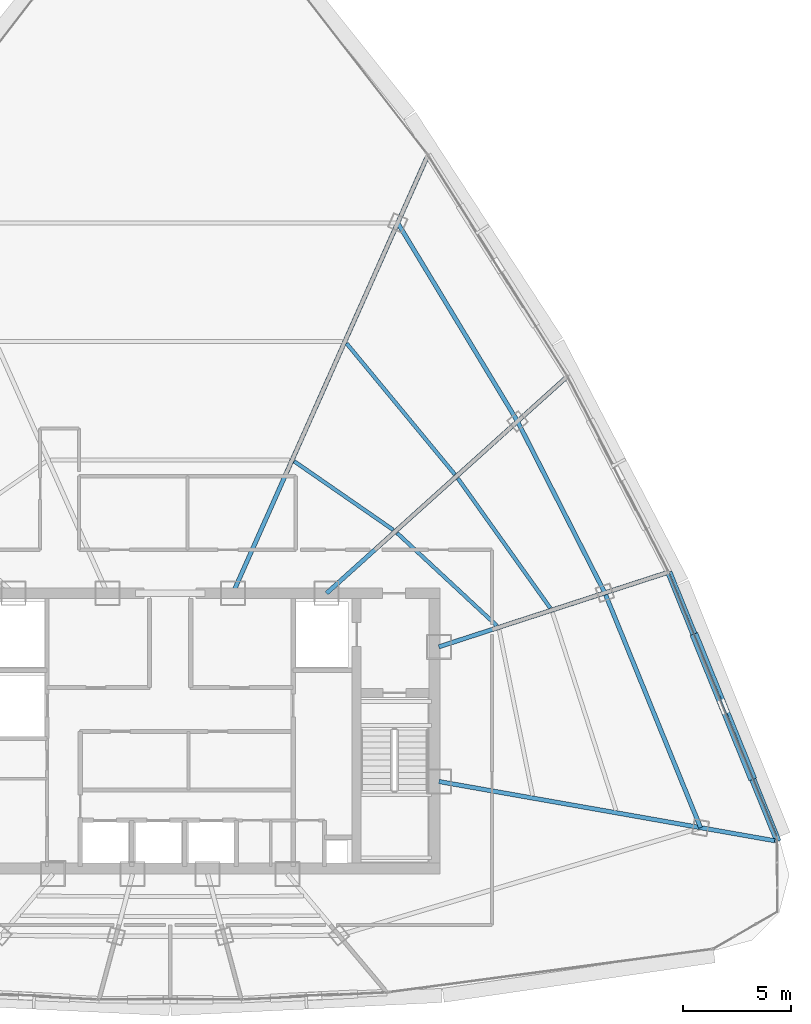
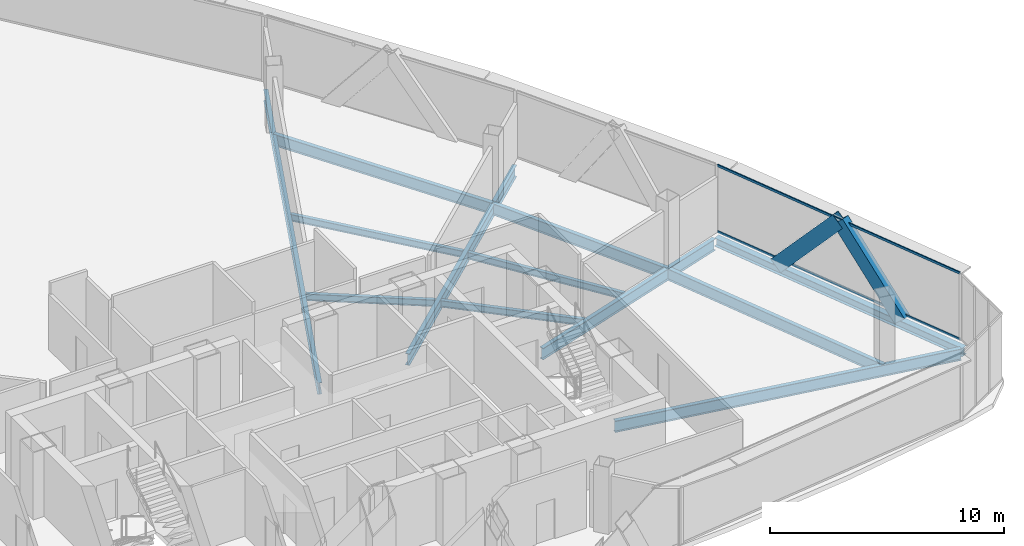
# One storey, part 14 of 26: 12 beams, 4 members, 1 element without a shape of its own.
"""IFC4 building model written with IfcOpenShell, lengths in metres."""

from ifc_helpers import new_model, si_unit, direction, frame, origin, origin_2d, place, context, subcontext, project, spatial, hollow_rectangle, i_section, extrude, source, transform, mapped, material, layer, layer_set, material_profile, profile_set, type_object, element, aggregate, save


model = new_model("IFC4")

# Units and contexts
model_context = context("Model", 3, precision=1e-05, world=origin(), true_north=direction((0.0, 1.0)))
body_context = subcontext(model_context, "Body", "Model", "MODEL_VIEW")
ifc_project = project(units=[si_unit("LENGTHUNIT", "METRE"), si_unit("AREAUNIT", "SQUARE_METRE"), si_unit("VOLUMEUNIT", "CUBIC_METRE"), si_unit("PLANEANGLEUNIT", "RADIAN"), si_unit("MASSUNIT", "GRAM", prefix="KILO"), si_unit("THERMODYNAMICTEMPERATUREUNIT", "KELVIN"), si_unit("POWERUNIT", "WATT")], contexts=[model_context])

# Site, building, storey
site_placement = place(None, origin())
site = spatial("IfcSite", under=ifc_project, at=site_placement, CompositionType="ELEMENT")
building_placement = place(site_placement, origin())
building = spatial("IfcBuilding", under=site, at=building_placement, Name="Yunzhuo Pagoda Commons", CompositionType="ELEMENT")
storey_placement = place(building_placement, frame((0.0, 0.0, 340.510009765625)))
storey = spatial("IfcBuildingStorey", under=building, at=storey_placement, Name="L85", CompositionType="ELEMENT", Elevation=340.510009765625)

# Beams
ifc_material_1 = material(Name="Structural steel Q355B", Category="steel")
ifc_material_profile_1 = material_profile(ifc_material_1, i_section(OverallWidth=0.199951171875, OverallDepth=0.60009765625, WebThickness=0.010986328125, FlangeThickness=0.01708984375, at=origin_2d()), Name="Structural steel Q355B")
ifc_profile_set_1 = profile_set([ifc_material_profile_1], Name="Structural steel Q355B")
beam_type_1 = type_object("IfcBeamType", Name="B-RG3 Beam HN 600x200x11x17", PredefinedType="BEAM", material=ifc_profile_set_1)
shared_shape_1 = source(origin(), body_context, "Body", "SweptSolid", [
    extrude(i_section(OverallWidth=0.199951171875, OverallDepth=0.60009765625, WebThickness=0.010986328125, FlangeThickness=0.01708984375, at=origin_2d()), origin(), (0.0, 0.0, 1.0), 11.696533203125),
])
beam_1_placement = place(storey_placement, frame((72.47021484375, 29.38525390625, -0.56005859375), z_axis=(-0.377611800863, 0.925963999219, 0.0), x_axis=(-0.925963999219, -0.377611800863, 0.0)))
element("IfcBeam", 1, at=beam_1_placement, inside=storey, type_object=beam_type_1, Name="L85 column-ring beam 5", PredefinedType="BEAM", context=body_context, shape_type="MappedRepresentation", body=[
    mapped(shared_shape_1, transform((0.0, 0.0, 0.0), scale=1.0)),
])
shared_shape_2 = source(origin(), body_context, "Body", "SweptSolid", [
    extrude(i_section(OverallWidth=0.199951171875, OverallDepth=0.60009765625, WebThickness=0.010986328125, FlangeThickness=0.01708984375, at=origin_2d()), origin(), (0.0, 0.0, 1.0), 8.87939453125),
])
beam_2_placement = place(storey_placement, frame((68.053466796875, 40.2158203125, -0.56005859375), z_axis=(-0.453723535687, 0.891142498798, 0.0), x_axis=(-0.891142498798, -0.453723535687, 0.0)))
element("IfcBeam", 2, at=beam_2_placement, inside=storey, type_object=beam_type_1, Name="L85 column-ring beam 6", PredefinedType="BEAM", context=body_context, shape_type="MappedRepresentation", body=[
    mapped(shared_shape_2, transform((0.0, 0.0, 0.0), scale=1.0)),
])
shared_shape_3 = source(origin(), body_context, "Body", "SweptSolid", [
    extrude(i_section(OverallWidth=0.199951171875, OverallDepth=0.60009765625, WebThickness=0.010986328125, FlangeThickness=0.01708984375, at=origin_2d()), origin(), (0.0, 0.0, 1.0), 10.691162109375),
])
beam_3_placement = place(storey_placement, frame((64.024658203125, 48.128662109375, -0.56005859375), z_axis=(-0.516864678433, 0.856067114301, 0.0), x_axis=(-0.856067114301, -0.516864678433, 0.0)))
element("IfcBeam", 3, at=beam_3_placement, inside=storey, type_object=beam_type_1, Name="L85 column-ring beam 7", PredefinedType="BEAM", context=body_context, shape_type="MappedRepresentation", body=[
    mapped(shared_shape_3, transform((0.0, 0.0, 0.0), scale=1.0)),
])
ifc_material_profile_2 = material_profile(ifc_material_1, i_section(OverallWidth=0.175048828125, OverallDepth=0.35009765625, WebThickness=0.007080078125, FlangeThickness=0.010986328125, at=origin_2d()), Name="Structural steel Q355B")
ifc_profile_set_2 = profile_set([ifc_material_profile_2], Name="Structural steel Q355B")
beam_type_2 = type_object("IfcBeamType", Name="B-JS2 Joist HN 350x175x7x11", PredefinedType="JOIST", material=ifc_profile_set_2)
shared_shape_4 = source(origin(), body_context, "Body", "SweptSolid", [
    extrude(i_section(OverallWidth=0.175048828125, OverallDepth=0.35009765625, WebThickness=0.007080078125, FlangeThickness=0.010986328125, at=origin_2d()), origin(), (0.0, 0.0, 1.0), 6.277099609375),
])
beam_4_placement = place(storey_placement, frame((63.071044921875, 38.702392578125, -0.43505859375), z_axis=(-0.73244154109, 0.68082992655, 0.0), x_axis=(-0.68082992655, -0.73244154109, 0.0)))
element("IfcBeam", 4, at=beam_4_placement, inside=storey, type_object=beam_type_2, Name="L85 composite ring joist 1.6", PredefinedType="JOIST", context=body_context, shape_type="MappedRepresentation", body=[
    mapped(shared_shape_4, transform((0.0, 0.0, 0.0), scale=1.0)),
])
shared_shape_5 = source(origin(), body_context, "Body", "SweptSolid", [
    extrude(i_section(OverallWidth=0.175048828125, OverallDepth=0.35009765625, WebThickness=0.007080078125, FlangeThickness=0.010986328125, at=origin_2d()), origin(), (0.0, 0.0, 1.0), 7.347900390625),
])
beam_5_placement = place(storey_placement, frame((65.53759765625, 39.513671875, -0.43505859375), z_axis=(-0.580294898948, 0.814406428177, 0.0), x_axis=(-0.814406428177, -0.580294898948, 0.0)))
element("IfcBeam", 5, at=beam_5_placement, inside=storey, type_object=beam_type_2, Name="L85 composite ring joist 2.6", PredefinedType="JOIST", context=body_context, shape_type="MappedRepresentation", body=[
    mapped(shared_shape_5, transform((0.0, 0.0, 0.0), scale=1.0)),
])
shared_shape_6 = source(origin(), body_context, "Body", "SweptSolid", [
    extrude(i_section(OverallWidth=0.175048828125, OverallDepth=0.35009765625, WebThickness=0.007080078125, FlangeThickness=0.010986328125, at=origin_2d()), origin(), (0.0, 0.0, 1.0), 5.556640625),
])
beam_6_placement = place(storey_placement, frame((58.29443359375, 43.119873046875, -0.43505859375), z_axis=(-0.822084621883, 0.569365326011, 0.0), x_axis=(-0.569365326011, -0.822084621883, 0.0)))
element("IfcBeam", 6, at=beam_6_placement, inside=storey, type_object=beam_type_2, Name="L85 composite ring joist 1.7", PredefinedType="JOIST", context=body_context, shape_type="MappedRepresentation", body=[
    mapped(shared_shape_6, transform((0.0, 0.0, 0.0), scale=1.0)),
])
shared_shape_7 = source(origin(), body_context, "Body", "SweptSolid", [
    extrude(i_section(OverallWidth=0.175048828125, OverallDepth=0.35009765625, WebThickness=0.007080078125, FlangeThickness=0.010986328125, at=origin_2d()), origin(), (0.0, 0.0, 1.0), 7.842529296875),
])
beam_7_placement = place(storey_placement, frame((61.133544921875, 45.68017578125, -0.43505859375), z_axis=(-0.636899145749, 0.770947130577, 0.0), x_axis=(-0.770947130577, -0.636899145749, 0.0)))
element("IfcBeam", 7, at=beam_7_placement, inside=storey, type_object=beam_type_2, Name="L85 composite ring joist 2.7", PredefinedType="JOIST", context=body_context, shape_type="MappedRepresentation", body=[
    mapped(shared_shape_7, transform((0.0, 0.0, 0.0), scale=1.0)),
])
shared_shape_8 = source(origin(), body_context, "Body", "SweptSolid", [
    extrude(i_section(OverallWidth=0.199951171875, OverallDepth=0.60009765625, WebThickness=0.010986328125, FlangeThickness=0.01708984375, at=origin_2d()), origin(), (0.0, 0.0, 1.0), 15.72412109375),
])
beam_8_placement = place(storey_placement, frame((75.88525390625, 28.783203125, -0.56005859375), z_axis=(-0.984810587899, 0.173632099459, 0.0), x_axis=(-0.173632099459, -0.984810587899, 0.0)))
element("IfcBeam", 8, at=beam_8_placement, inside=storey, type_object=beam_type_1, Name="L85 radial floor girder F2C1", PredefinedType="BEAM", context=body_context, shape_type="MappedRepresentation", body=[
    mapped(shared_shape_8, transform((0.0, 0.0, 0.0), scale=1.0)),
])
shared_shape_9 = source(origin(), body_context, "Body", "SweptSolid", [
    extrude(i_section(OverallWidth=0.199951171875, OverallDepth=0.60009765625, WebThickness=0.010986328125, FlangeThickness=0.01708984375, at=origin_2d()), origin(), (0.0, 0.0, 1.0), 10.99365234375),
])
beam_9_placement = place(storey_placement, frame((70.85546875, 41.126220703125, -0.56005859375), z_axis=(-0.951056587506, -0.30901677521, 0.0), x_axis=(0.30901677521, -0.951056587506, 0.0)))
element("IfcBeam", 9, at=beam_9_placement, inside=storey, type_object=beam_type_1, Name="L85 radial floor girder F2C2", PredefinedType="BEAM", context=body_context, shape_type="MappedRepresentation", body=[
    mapped(shared_shape_9, transform((0.0, 0.0, 0.0), scale=1.0)),
])
shared_shape_10 = source(origin(), body_context, "Body", "SweptSolid", [
    extrude(i_section(OverallWidth=0.199951171875, OverallDepth=0.60009765625, WebThickness=0.010986328125, FlangeThickness=0.01708984375, at=origin_2d()), origin(), (0.0, 0.0, 1.0), 14.802001953125),
])
beam_10_placement = place(storey_placement, frame((66.218994140625, 50.1044921875, -0.56005859375), z_axis=(-0.743141582684, -0.669134207828, 0.0), x_axis=(0.669134207828, -0.743141582684, 0.0)))
element("IfcBeam", 10, at=beam_10_placement, inside=storey, type_object=beam_type_1, Name="L85 radial floor girder F2C3", PredefinedType="BEAM", context=body_context, shape_type="MappedRepresentation", body=[
    mapped(shared_shape_10, transform((0.0, 0.0, 0.0), scale=1.0)),
])
shared_shape_11 = source(origin(), body_context, "Body", "SweptSolid", [
    extrude(i_section(OverallWidth=0.199951171875, OverallDepth=0.60009765625, WebThickness=0.010986328125, FlangeThickness=0.01708984375, at=origin_2d()), origin(), (0.0, 0.0, 1.0), 21.975341796875),
])
beam_11_placement = place(storey_placement, frame((59.832275390625, 60.275390625, -0.56005859375), z_axis=(-0.406739335942, -0.913544258697, 0.0), x_axis=(0.913544258697, -0.406739335942, 0.0)))
element("IfcBeam", 11, at=beam_11_placement, inside=storey, type_object=beam_type_1, Name="L85 radial floor girder F2C4", PredefinedType="BEAM", context=body_context, shape_type="MappedRepresentation", body=[
    mapped(shared_shape_11, transform((0.0, 0.0, 0.0), scale=1.0)),
])
ifc_material_profile_3 = material_profile(ifc_material_1, i_section(OverallWidth=0.300048828125, OverallDepth=0.43994140625, WebThickness=0.010986328125, FlangeThickness=0.01806640625, at=origin_2d()), Name="Structural steel Q355B")
ifc_profile_set_3 = profile_set([ifc_material_profile_3], Name="Structural steel Q355B")
beam_type_3 = type_object("IfcBeamType", Name="B-SP2 Beam HM 440x300x11x18", PredefinedType="BEAM", material=ifc_profile_set_3)
shared_shape_12 = source(origin(), body_context, "Body", "SweptSolid", [
    extrude(i_section(OverallWidth=0.300048828125, OverallDepth=0.43994140625, WebThickness=0.010986328125, FlangeThickness=0.01806640625, at=origin_2d()), origin(), (0.0, 0.0, 1.0), 13.399658203125),
])
beam_12_placement = place(storey_placement, frame((76.0380859375, 28.75634765625, -0.47998046875), z_axis=(-0.3757655854, 0.926714748361, 0.0), x_axis=(-0.926714748361, -0.3757655854, 0.0)))
element("IfcBeam", 12, at=beam_12_placement, inside=storey, type_object=beam_type_3, Name="L85 facade edge spandrel beam F2.1", PredefinedType="BEAM", context=body_context, shape_type="MappedRepresentation", body=[
    mapped(shared_shape_12, transform((0.0, 0.0, 0.0), scale=1.0)),
])

# Members
ifc_material_profile_4 = material_profile(ifc_material_1, hollow_rectangle(XDim=0.3798828125, YDim=0.719970703125, WallThickness=0.02001953125, at=origin_2d()), Name="Structural steel Q355B")
ifc_profile_set_4 = profile_set([ifc_material_profile_4], Name="Structural steel Q355B")
member_type_1 = type_object("IfcMemberType", Name="M-DL3 Brace BOX 720x380x20", PredefinedType="BRACE", material=ifc_profile_set_4)
shared_shape_13 = source(origin(), body_context, "Body", "SweptSolid", [
    extrude(hollow_rectangle(XDim=0.3798828125, YDim=0.719970703125, WallThickness=0.02001953125, at=origin_2d()), origin(), (0.0, 0.0, 1.0), 5.0283203125),
])
for number, where, z_axis, x_axis, name in (
    (13, (74.779296875, 31.860595703125, -0.260009765625), (-0.250335334851, 0.617390247859, 0.745762362937), (-0.92671732093, -0.375759240855, 0.0), "L85 facade diamond brace F2.1L"),
    (14, (72.26171875, 38.069580078125, -0.260009765625), (0.250335334851, -0.617390247859, 0.745762362937), (0.92671732093, 0.375759240855, 0.0), "L85 facade diamond brace F2.1R"),
):
    element("IfcMember", number, at=place(storey_placement, frame(where, z_axis=z_axis, x_axis=x_axis)), inside=storey, type_object=member_type_1, Name=name, PredefinedType="BRACE", context=body_context, shape_type="MappedRepresentation", body=[
        mapped(shared_shape_13, transform((0.0, 0.0, 0.0), scale=1.0)),
    ])

# Curtain wall, members
ifc_material_2 = material(Name="Anodized aluminium 6063-T6", Category="aluminium")
ifc_layer = layer(ifc_material_2, 0.139892578125)
ifc_layer_set = layer_set([ifc_layer], Name="Anodized aluminium 6063-T6")
curtain_wall_type = type_object("IfcCurtainWallType", Name="CW-HI High-Zone Ribbon Curtain Wall", PredefinedType="NOTDEFINED", material=ifc_layer_set)
curtain_wall_placement = place(storey_placement, origin())
curtain_wall = element("IfcCurtainWall", 15, at=curtain_wall_placement, inside=storey, type_object=curtain_wall_type, Name="L85 curtain wall CW-L85-F2B2", PredefinedType="NOTDEFINED")
ifc_material_profile_5 = material_profile(ifc_material_2, hollow_rectangle(XDim=0.054931640625, YDim=0.1201171875, WallThickness=0.00341796875, at=origin_2d()), Name="Anodized aluminium 6063-T6")
ifc_profile_set_5 = profile_set([ifc_material_profile_5], Name="Anodized aluminium 6063-T6")
member_type_2 = type_object("IfcMemberType", Name="CW-HI-T Transom RHS 120x55x3.5", PredefinedType="USERDEFINED", material=ifc_profile_set_5)
shared_shape_14 = source(origin(), body_context, "Body", "SweptSolid", [
    extrude(hollow_rectangle(XDim=0.054931640625, YDim=0.1201171875, WallThickness=0.00341796875, at=origin_2d()), origin(), (0.0, 0.0, 1.0), 13.100830078125),
])
member_1_placement = place(storey_placement, frame((75.980224609375, 28.99072265625, 0.027587890625), z_axis=(-0.378185817001, 0.925729705594, 0.0), x_axis=(-0.925729705594, -0.378185817001, 0.0)))
member_1 = element("IfcMember", 16, at=member_1_placement, type_object=member_type_2, Name="CW transom 1.1", ObjectType="TRANSOM", PredefinedType="USERDEFINED", context=body_context, shape_type="MappedRepresentation", body=[
    mapped(shared_shape_14, transform((0.0, 0.0, 0.0), scale=1.0)),
])
member_2_placement = place(storey_placement, frame((75.980224609375, 28.99072265625, 3.46240234375), z_axis=(-0.378185817001, 0.925729705594, 0.0), x_axis=(-0.925729705594, -0.378185817001, 0.0)))
member_2 = element("IfcMember", 17, at=member_2_placement, type_object=member_type_2, Name="CW transom 1.2", ObjectType="TRANSOM", PredefinedType="USERDEFINED", context=body_context, shape_type="MappedRepresentation", body=[
    mapped(shared_shape_14, transform((0.0, 0.0, 0.0), scale=1.0)),
])
aggregate(curtain_wall, [member_1, member_2])

save(model, "model.ifc")
